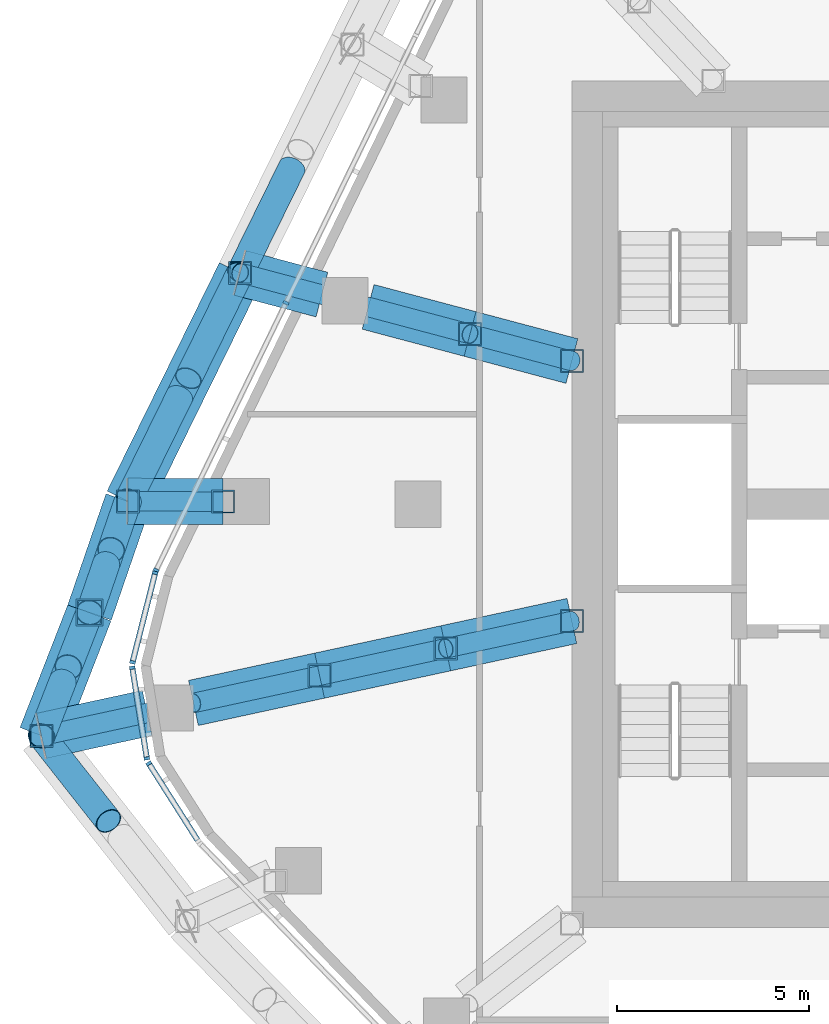
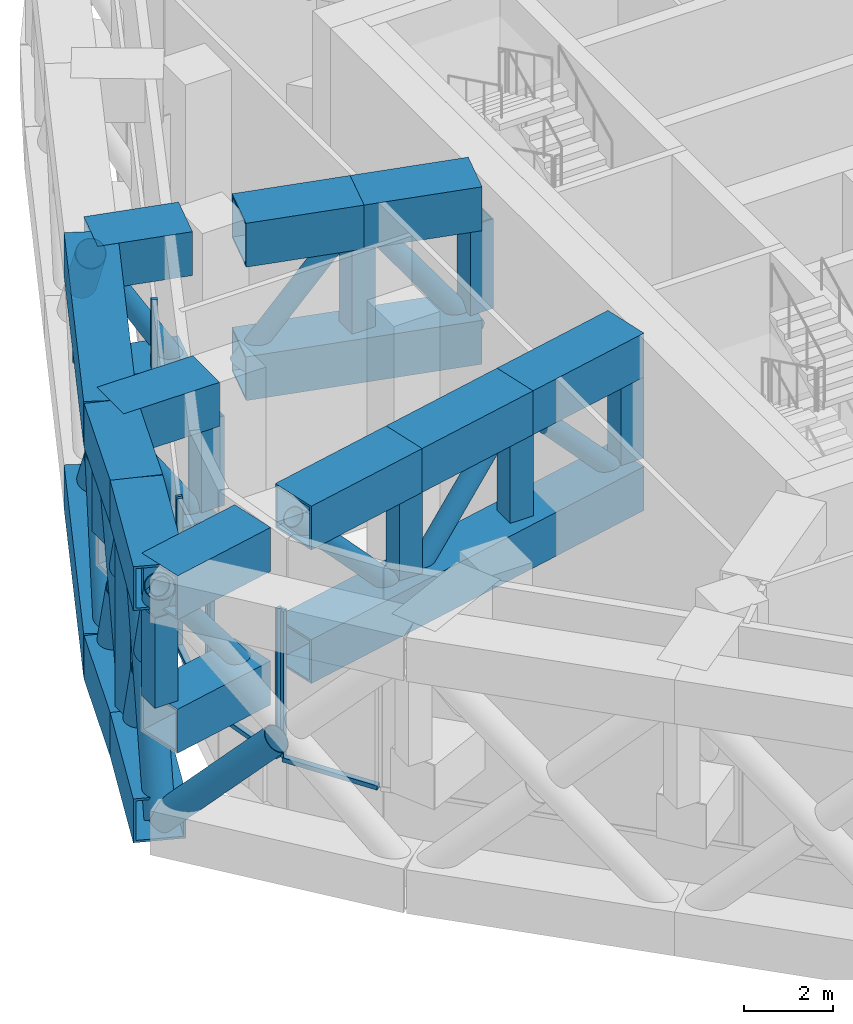
# One storey, part 4 of 21: 58 members, 2 elements without a shape of their own.
"""IFC4 building model written with IfcOpenShell, lengths in metres."""

from ifc_helpers import new_model, si_unit, direction, frame, origin, origin_2d, place, context, subcontext, project, spatial, rectangle, hollow_rectangle, hollow_circle, extrude, material, layer, layer_set, material_profile, profile_set, type_object, element, aggregate, save


model = new_model("IFC4")

# Units and contexts
model_context = context("Model", 3, precision=1e-05, world=origin(), true_north=direction((0.0, 1.0)))
body_context = subcontext(model_context, "Body", "Model", "MODEL_VIEW")
ifc_project = project(units=[si_unit("LENGTHUNIT", "METRE"), si_unit("AREAUNIT", "SQUARE_METRE"), si_unit("VOLUMEUNIT", "CUBIC_METRE"), si_unit("PLANEANGLEUNIT", "RADIAN"), si_unit("MASSUNIT", "GRAM", prefix="KILO")], contexts=[model_context])

# Site, building, storey
site_placement = place(None, origin())
site = spatial("IfcSite", under=ifc_project, at=site_placement, CompositionType="ELEMENT")
building_placement = place(site_placement, origin())
building = spatial("IfcBuilding", under=site, at=building_placement, Name="Dongbaek Canopy Tower", CompositionType="ELEMENT")
storey_placement = place(building_placement, frame((0.0, 0.0, 220.60009765625)))
storey = spatial("IfcBuildingStorey", under=building, at=storey_placement, Name="L46", CompositionType="ELEMENT", Elevation=220.60009765625)

# Members
ifc_material_1 = material(Name="Steel S355", Category="steel")
ifc_material_profile_1 = material_profile(ifc_material_1, hollow_circle(Radius=0.35546875, WallThickness=0.02001953125, at=origin_2d()), Name="BELT BRACE CHS 711.0x20.0 Steel S355")
ifc_profile_set_1 = profile_set([ifc_material_profile_1], Name="Steel S355")
member_type_1 = type_object("IfcMemberType", Name="BELT BRACE CHS 711.0x20.0 Steel S355", PredefinedType="BRACE", material=ifc_profile_set_1)
member_1_placement = place(storey_placement, frame((-27.7822265625, -6.019287109375, 0.599853515625), z_axis=(0.429223505563, -0.545381213508, 0.719948966402), x_axis=(0.785821312984, 0.618453607039, 0.0)))
element("IfcMember", 1, at=member_1_placement, inside=storey, type_object=member_type_1, Name="BELT:L46:7:D0:1", PredefinedType="BRACE", context=body_context, shape_type="SweptSolid", body=[
    extrude(hollow_circle(Radius=0.35546875, WallThickness=0.02001953125, at=origin_2d()), origin(), (0.0, 0.0, 1.0), 4.054443359375),
])
member_2_placement = place(storey_placement, frame((-27.7822265625, -6.019287109375, 0.599853515625), z_axis=(0.172787230998, 0.443783600336, 0.87931830919), x_axis=(-0.931859385377, 0.362819632716, 0.0)))
element("IfcMember", 2, at=member_2_placement, inside=storey, type_object=member_type_1, Name="BELT:L46:8:D0:0", PredefinedType="BRACE", context=body_context, shape_type="SweptSolid", body=[
    extrude(hollow_circle(Radius=0.35546875, WallThickness=0.02001953125, at=origin_2d()), origin(), (0.0, 0.0, 1.0), 7.2216796875),
])
for number, where, z_axis, x_axis, name in (
    (3, (-26.534423828125, -2.814453125, 0.599853515625), (-0.172782546431, -0.443794460722, 0.879313748489), (0.931865712843, -0.36280338095, 0.0), "BELT:L46:8:D0:1"),
    (4, (-27.7822265625, -6.019287109375, 6.949951171875), (0.172782546431, 0.443794460722, -0.879313748489), (-0.931865712843, 0.36280338095, 0.0), "BELT:L46:8:D0:2"),
):
    element("IfcMember", number, at=place(storey_placement, frame(where, z_axis=z_axis, x_axis=x_axis)), inside=storey, type_object=member_type_1, Name=name, PredefinedType="BRACE", context=body_context, shape_type="SweptSolid", body=[
        extrude(hollow_circle(Radius=0.35546875, WallThickness=0.02001953125, at=origin_2d()), origin(), (0.0, 0.0, 1.0), 3.186279296875),
    ])
member_3_placement = place(storey_placement, frame((-26.534423828125, -2.814453125, 0.599853515625), z_axis=(0.141096101577, 0.410159057862, 0.901033538429), x_axis=(-0.945612916994, 0.325294038084, 0.0)))
element("IfcMember", 5, at=member_3_placement, inside=storey, type_object=member_type_1, Name="BELT:L46:8:D1:0", PredefinedType="BRACE", context=body_context, shape_type="SweptSolid", body=[
    extrude(hollow_circle(Radius=0.35546875, WallThickness=0.02001953125, at=origin_2d()), origin(), (0.0, 0.0, 1.0), 7.047607421875),
])
for number, where, z_axis, x_axis, name in (
    (6, (-25.5400390625, 0.076171875, 0.599853515625), (-0.141049565418, -0.410181364521, 0.901030670008), (0.945651353794, -0.325182282831, 0.0), "BELT:L46:8:D1:1"),
    (7, (-26.534423828125, -2.814453125, 6.949951171875), (0.141127535559, 0.410176760621, -0.901020556787), (-0.945594943332, 0.325346281899, 0.0), "BELT:L46:8:D1:2"),
):
    element("IfcMember", number, at=place(storey_placement, frame(where, z_axis=z_axis, x_axis=x_axis)), inside=storey, type_object=member_type_1, Name=name, PredefinedType="BRACE", context=body_context, shape_type="SweptSolid", body=[
        extrude(hollow_circle(Radius=0.35546875, WallThickness=0.02001953125, at=origin_2d()), origin(), (0.0, 0.0, 1.0), 3.06884765625),
    ])
member_4_placement = place(storey_placement, frame((-25.5400390625, 0.076171875, 0.599853515625), z_axis=(0.318357990586, 0.64728708541, 0.692580406084), x_axis=(-0.89733894201, 0.441342070454, 0.0)))
element("IfcMember", 8, at=member_4_placement, inside=storey, type_object=member_type_1, Name="BELT:L46:9:D0:0", PredefinedType="BRACE", context=body_context, shape_type="SweptSolid", body=[
    extrude(hollow_circle(Radius=0.35546875, WallThickness=0.02001953125, at=origin_2d()), origin(), (0.0, 0.0, 1.0), 9.168701171875),
])
for number, where, z_axis, x_axis, name in (
    (9, (-22.62109375, 6.010986328125, 0.599853515625), (-0.318353733059, -0.647273068792, 0.69259546278), (0.89733749457, -0.441345013385, 0.0), "BELT:L46:9:D0:1"),
    (10, (-25.5400390625, 0.076171875, 6.949951171875), (0.318353733059, 0.647273068792, -0.69259546278), (-0.89733749457, 0.441345013385, 0.0), "BELT:L46:9:D0:2"),
):
    element("IfcMember", number, at=place(storey_placement, frame(where, z_axis=z_axis, x_axis=x_axis)), inside=storey, type_object=member_type_1, Name=name, PredefinedType="BRACE", context=body_context, shape_type="SweptSolid", body=[
        extrude(hollow_circle(Radius=0.35546875, WallThickness=0.02001953125, at=origin_2d()), origin(), (0.0, 0.0, 1.0), 4.228515625),
    ])
member_5_placement = place(storey_placement, frame((-22.62109375, 6.010986328125, 6.949951171875), z_axis=(0.318377527779, 0.647205968241, -0.69264722946), x_axis=(-0.897306306285, 0.441408419382, 0.0)))
element("IfcMember", 11, at=member_5_placement, inside=storey, type_object=member_type_1, Name="BELT:L46:10:D0:2", PredefinedType="BRACE", context=body_context, shape_type="SweptSolid", body=[
    extrude(hollow_circle(Radius=0.35546875, WallThickness=0.02001953125, at=origin_2d()), origin(), (0.0, 0.0, 1.0), 4.228271484375),
])
ifc_material_2 = material(Name="Steel S355", Category="steel")
ifc_material_profile_2 = material_profile(ifc_material_2, hollow_rectangle(XDim=1.199951171875, YDim=1.199951171875, WallThickness=0.06005859375, at=origin_2d()), Name="BELT CHORD BOX 1200x1200x60 Steel S355")
ifc_profile_set_2 = profile_set([ifc_material_profile_2], Name="Steel S355")
member_type_2 = type_object("IfcMemberType", Name="BELT CHORD BOX 1200x1200x60 Steel S355", PredefinedType="CHORD", material=ifc_profile_set_2)
for number, where, z_axis, x_axis, name in (
    (12, (-27.7822265625, -6.019287109375, 0.599853515625), (0.362819632716, 0.931859385377, 0.0), (-0.931859385377, 0.362819632716, 0.0), "BELT:L46:8:CB0"),
    (13, (-27.7822265625, -6.019287109375, 6.949951171875), (0.362819632716, 0.931859385377, 0.0), (-0.931859385377, 0.362819632716, 0.0), "BELT:L46:8:CT0"),
):
    element("IfcMember", number, at=place(storey_placement, frame(where, z_axis=z_axis, x_axis=x_axis)), inside=storey, type_object=member_type_2, Name=name, PredefinedType="CHORD", context=body_context, shape_type="SweptSolid", body=[
        extrude(hollow_rectangle(XDim=1.199951171875, YDim=1.199951171875, WallThickness=0.06005859375, at=origin_2d()), origin(), (0.0, 0.0, 1.0), 3.439208984375),
    ])
for number, where, z_axis, x_axis, name in (
    (14, (-26.534423828125, -2.814453125, 0.599853515625), (0.325294038084, 0.945612916994, 0.0), (-0.945612916994, 0.325294038084, 0.0), "BELT:L46:8:CB1"),
    (15, (-26.534423828125, -2.814453125, 6.949951171875), (0.325294038084, 0.945612916994, 0.0), (-0.945612916994, 0.325294038084, 0.0), "BELT:L46:8:CT1"),
):
    element("IfcMember", number, at=place(storey_placement, frame(where, z_axis=z_axis, x_axis=x_axis)), inside=storey, type_object=member_type_2, Name=name, PredefinedType="CHORD", context=body_context, shape_type="SweptSolid", body=[
        extrude(hollow_rectangle(XDim=1.199951171875, YDim=1.199951171875, WallThickness=0.06005859375, at=origin_2d()), origin(), (0.0, 0.0, 1.0), 3.056884765625),
    ])
for number, where, z_axis, x_axis, name in (
    (16, (-25.5400390625, 0.076171875, 0.599853515625), (0.441342070454, 0.89733894201, 0.0), (-0.89733894201, 0.441342070454, 0.0), "BELT:L46:9:CB0"),
    (17, (-25.5400390625, 0.076171875, 6.949951171875), (0.441342070454, 0.89733894201, 0.0), (-0.89733894201, 0.441342070454, 0.0), "BELT:L46:9:CT0"),
):
    element("IfcMember", number, at=place(storey_placement, frame(where, z_axis=z_axis, x_axis=x_axis)), inside=storey, type_object=member_type_2, Name=name, PredefinedType="CHORD", context=body_context, shape_type="SweptSolid", body=[
        extrude(hollow_rectangle(XDim=1.199951171875, YDim=1.199951171875, WallThickness=0.06005859375, at=origin_2d()), origin(), (0.0, 0.0, 1.0), 6.61376953125),
    ])
ifc_material_3 = material(Name="Steel S355", Category="steel")
ifc_material_profile_3 = material_profile(ifc_material_3, hollow_rectangle(XDim=0.699951171875, YDim=0.699951171875, WallThickness=0.035888671875, at=origin_2d()), Name="BELT POST BOX 700x700x36 Steel S355")
ifc_profile_set_3 = profile_set([ifc_material_profile_3], Name="Steel S355")
member_type_3 = type_object("IfcMemberType", Name="BELT POST BOX 700x700x36 Steel S355", PredefinedType="POST", material=ifc_profile_set_3)
member_6_placement = place(storey_placement, frame((-26.534423828125, -2.814453125, 1.199951171875), z_axis=(0.0, 0.0, 1.0), x_axis=(1.0, 0.0, 0.0)))
element("IfcMember", 18, at=member_6_placement, inside=storey, type_object=member_type_3, Name="BELT:L46:8:P1", PredefinedType="POST", context=body_context, shape_type="SweptSolid", body=[
    extrude(hollow_rectangle(XDim=0.699951171875, YDim=0.699951171875, WallThickness=0.035888671875, at=origin_2d()), origin(), (0.0, 0.0, 1.0), 5.14990234375),
])
ifc_material_4 = material(Name="Steel S355", Category="steel")
ifc_material_profile_4 = material_profile(ifc_material_4, hollow_circle(Radius=0.25390625, WallThickness=0.01611328125, at=origin_2d()), Name="BRACE CHS 508.0x16.0 Steel S355")
ifc_profile_set_4 = profile_set([ifc_material_profile_4], Name="Steel S355")
member_type_4 = type_object("IfcMemberType", Name="BRACE CHS 508.0x16.0 Steel S355", PredefinedType="BRACE", material=ifc_profile_set_4)
member_7_placement = place(storey_placement, frame((-23.06201171875, 0.06884765625, 3.2998046875), z_axis=(-0.56167790573, 0.001660131741, 0.827354322027), x_axis=(-0.002955652114, -0.999995632051, 0.0)))
element("IfcMember", 19, at=member_7_placement, inside=storey, type_object=member_type_4, Name="TRUSS:L46:9:D0", PredefinedType="BRACE", context=body_context, shape_type="SweptSolid", body=[
    extrude(hollow_circle(Radius=0.25390625, WallThickness=0.01611328125, at=origin_2d()), origin(), (0.0, 0.0, 1.0), 4.411865234375),
])
ifc_material_5 = material(Name="Steel S355", Category="steel")
ifc_material_profile_5 = material_profile(ifc_material_5, hollow_rectangle(XDim=1.199951171875, YDim=1.199951171875, WallThickness=0.06005859375, at=origin_2d()), Name="CHORD BOX 1200x1200x60 Steel S355")
ifc_profile_set_5 = profile_set([ifc_material_profile_5], Name="Steel S355")
member_type_5 = type_object("IfcMemberType", Name="CHORD BOX 1200x1200x60 Steel S355", PredefinedType="CHORD", material=ifc_profile_set_5)
for number, where, z_axis, x_axis, name in (
    (20, (-23.06201171875, 0.06884765625, 3.2998046875), (-0.999995632051, 0.002955652114, 0.0), (-0.002955652114, -0.999995632051, 0.0), "TRUSS:L46:9:CB"),
    (21, (-23.06201171875, 0.06884765625, 6.949951171875), (-0.999995632051, 0.002955652114, 0.0), (-0.002955652114, -0.999995632051, 0.0), "TRUSS:L46:9:CT0"),
):
    element("IfcMember", number, at=place(storey_placement, frame(where, z_axis=z_axis, x_axis=x_axis)), inside=storey, type_object=member_type_5, Name=name, PredefinedType="CHORD", context=body_context, shape_type="SweptSolid", body=[
        extrude(hollow_rectangle(XDim=1.199951171875, YDim=1.199951171875, WallThickness=0.06005859375, at=origin_2d()), origin(), (0.0, 0.0, 1.0), 2.47802734375),
    ])

# Curtain wall, members
ifc_material_6 = material(Name="Aluminium 6063-T6 pale anodised", Category="aluminium")
ifc_layer = layer(ifc_material_6, 0.14990234375)
ifc_layer_set = layer_set([ifc_layer], Name="CW-7 louvre curtain wall")
curtain_wall_type = type_object("IfcCurtainWallType", Name="CW-7 louvre curtain wall", PredefinedType="NOTDEFINED", material=ifc_layer_set)
curtain_wall_1_placement = place(storey_placement, origin())
curtain_wall_1 = element("IfcCurtainWall", 22, at=curtain_wall_1_placement, inside=storey, type_object=curtain_wall_type, Name="CW-7 louvre wall L46 F2", PredefinedType="NOTDEFINED")
ifc_material_7 = material(Name="Aluminium 6063-T6 pale anodised", Category="aluminium")
ifc_material_profile_6 = material_profile(ifc_material_7, rectangle(XDim=0.14990234375, YDim=0.080078125, at=origin_2d()), Name="CW-7 mullion 80 x 150")
ifc_profile_set_6 = profile_set([ifc_material_profile_6], Name="Aluminium 6063-T6 pale anodised")
member_type_6 = type_object("IfcMemberType", Name="CW-7 mullion 80 x 150", PredefinedType="MULLION", material=ifc_profile_set_6)
member_8_placement = place(storey_placement, frame((-21.4306640625, 5.232421875, 1.77490234375), z_axis=(0.0, 0.0, 1.0), x_axis=(-0.899574599552, 0.436767146018, 0.0)))
member_8 = element("IfcMember", 23, at=member_8_placement, type_object=member_type_6, Name="CW-7 mullion L46 F2.1.3", PredefinedType="MULLION", context=body_context, shape_type="SweptSolid", body=[
    extrude(rectangle(XDim=0.14990234375, YDim=0.080078125, at=origin_2d()), origin(), (0.0, 0.0, 1.0), 4.0),
])
member_9_placement = place(storey_placement, frame((-24.80419921875, -1.7158203125, 1.77490234375), z_axis=(0.0, 0.0, 1.0), x_axis=(-0.899574599552, 0.436767146018, 0.0)))
member_9 = element("IfcMember", 24, at=member_9_placement, type_object=member_type_6, Name="CW-7 mullion L46 F2.1.4", PredefinedType="MULLION", context=body_context, shape_type="SweptSolid", body=[
    extrude(rectangle(XDim=0.14990234375, YDim=0.080078125, at=origin_2d()), origin(), (0.0, 0.0, 1.0), 4.0),
])
aggregate(curtain_wall_1, [member_8, member_9])

curtain_wall_2_placement = place(storey_placement, origin())
curtain_wall_2 = element("IfcCurtainWall", 25, at=curtain_wall_2_placement, inside=storey, type_object=curtain_wall_type, Name="CW-7 louvre wall L46 K3", PredefinedType="NOTDEFINED")
member_10_placement = place(storey_placement, frame((-24.82861328125, -1.782470703125, 1.77490234375), z_axis=(0.0, 0.0, 1.0), x_axis=(-0.969334973247, 0.245743178216, 0.0)))
member_10 = element("IfcMember", 26, at=member_10_placement, type_object=member_type_6, Name="CW-7 mullion L46 K3.1.1", PredefinedType="MULLION", context=body_context, shape_type="SweptSolid", body=[
    extrude(rectangle(XDim=0.14990234375, YDim=0.080078125, at=origin_2d()), origin(), (0.0, 0.0, 1.0), 4.0),
])
member_11_placement = place(storey_placement, frame((-25.41748046875, -4.10595703125, 1.77490234375), z_axis=(0.0, 0.0, 1.0), x_axis=(-0.969334973247, 0.245743178216, 0.0)))
member_11 = element("IfcMember", 27, at=member_11_placement, type_object=member_type_6, Name="CW-7 mullion L46 K3.1.2", PredefinedType="MULLION", context=body_context, shape_type="SweptSolid", body=[
    extrude(rectangle(XDim=0.14990234375, YDim=0.080078125, at=origin_2d()), origin(), (0.0, 0.0, 1.0), 4.0),
])
member_12_placement = place(storey_placement, frame((-25.423828125, -4.247314453125, 1.77490234375), z_axis=(0.0, 0.0, 1.0), x_axis=(-0.987363201094, -0.158473685908, 0.0)))
member_12 = element("IfcMember", 28, at=member_12_placement, type_object=member_type_6, Name="CW-7 mullion L46 K3.2.1", PredefinedType="MULLION", context=body_context, shape_type="SweptSolid", body=[
    extrude(rectangle(XDim=0.14990234375, YDim=0.080078125, at=origin_2d()), origin(), (0.0, 0.0, 1.0), 4.0),
])
member_13_placement = place(storey_placement, frame((-25.045654296875, -6.603515625, 1.77490234375), z_axis=(0.0, 0.0, 1.0), x_axis=(-0.987363201094, -0.158473685908, 0.0)))
member_13 = element("IfcMember", 29, at=member_13_placement, type_object=member_type_6, Name="CW-7 mullion L46 K3.2.2", PredefinedType="MULLION", context=body_context, shape_type="SweptSolid", body=[
    extrude(rectangle(XDim=0.14990234375, YDim=0.080078125, at=origin_2d()), origin(), (0.0, 0.0, 1.0), 4.0),
])
member_14_placement = place(storey_placement, frame((-24.995361328125, -6.736083984375, 1.77490234375), z_axis=(0.0, 0.0, 1.0), x_axis=(-0.843743988537, -0.536745826074, 0.0)))
member_14 = element("IfcMember", 30, at=member_14_placement, type_object=member_type_6, Name="CW-7 mullion L46 K3.3.1", PredefinedType="MULLION", context=body_context, shape_type="SweptSolid", body=[
    extrude(rectangle(XDim=0.14990234375, YDim=0.080078125, at=origin_2d()), origin(), (0.0, 0.0, 1.0), 4.0),
])
ifc_material_8 = material(Name="Aluminium 6063-T6 pale anodised", Category="aluminium")
ifc_material_profile_7 = material_profile(ifc_material_8, rectangle(XDim=0.14990234375, YDim=0.1201171875, at=origin_2d()), Name="CW-7 transom 120 x 150")
ifc_profile_set_7 = profile_set([ifc_material_profile_7], Name="Aluminium 6063-T6 pale anodised")
member_type_7 = type_object("IfcMemberType", Name="CW-7 transom 120 x 150", PredefinedType="USERDEFINED", material=ifc_profile_set_7)
member_15_placement = place(storey_placement, frame((-24.82861328125, -1.782470703125, 1.71484375), z_axis=(-0.245673880778, -0.96935253871, 0.0), x_axis=(0.96935253871, -0.245673880778, 0.0)))
member_15 = element("IfcMember", 31, at=member_15_placement, type_object=member_type_7, Name="CW-7 transom L46 K3.1", ObjectType="TRANSOM", PredefinedType="USERDEFINED", context=body_context, shape_type="SweptSolid", body=[
    extrude(rectangle(XDim=0.14990234375, YDim=0.1201171875, at=origin_2d()), origin(), (0.0, 0.0, 1.0), 2.39697265625),
])
member_16_placement = place(storey_placement, frame((-25.423828125, -4.247314453125, 1.71484375), z_axis=(0.158473287488, -0.987363265041, 0.0), x_axis=(0.987363265041, 0.158473287488, 0.0)))
member_16 = element("IfcMember", 32, at=member_16_placement, type_object=member_type_7, Name="CW-7 transom L46 K3.2", ObjectType="TRANSOM", PredefinedType="USERDEFINED", context=body_context, shape_type="SweptSolid", body=[
    extrude(rectangle(XDim=0.14990234375, YDim=0.1201171875, at=origin_2d()), origin(), (0.0, 0.0, 1.0), 2.386474609375),
])
member_17_placement = place(storey_placement, frame((-24.995361328125, -6.736083984375, 1.71484375), z_axis=(0.536730475415, -0.843753753628, 0.0), x_axis=(0.843753753628, 0.536730475415, 0.0)))
member_17 = element("IfcMember", 33, at=member_17_placement, type_object=member_type_7, Name="CW-7 transom L46 K3.3", ObjectType="TRANSOM", PredefinedType="USERDEFINED", context=body_context, shape_type="SweptSolid", body=[
    extrude(rectangle(XDim=0.14990234375, YDim=0.1201171875, at=origin_2d()), origin(), (0.0, 0.0, 1.0), 2.396728515625),
])
aggregate(curtain_wall_2, [member_15, member_10, member_11, member_16, member_12, member_13, member_17, member_14])

# Members
ifc_material_9 = material(Name="Steel S355", Category="steel")
ifc_material_profile_8 = material_profile(ifc_material_9, hollow_circle(Radius=0.25390625, WallThickness=0.01611328125, at=origin_2d()), Name="OUTRIGGER BRACE CHS 508.0x16.0 Steel S355")
ifc_profile_set_8 = profile_set([ifc_material_profile_8], Name="Steel S355")
member_type_8 = type_object("IfcMemberType", Name="OUTRIGGER BRACE CHS 508.0x16.0 Steel S355", PredefinedType="BRACE", material=ifc_profile_set_8)
for number, where, z_axis, x_axis, name in (
    (34, (-14.0, -3.033203125, 3.2998046875), (-0.661304648864, -0.143262974646, 0.736309636965), (0.211725539168, -0.977329164644, 0.0), "TRUSS:L46:8:D0"),
    (35, (-17.2783203125, -3.743408203125, 6.949951171875), (-0.661304648864, -0.143262974646, -0.736309636965), (0.211725539168, -0.977329164644, 0.0), "TRUSS:L46:8:D1"),
    (36, (-20.556640625, -4.45361328125, 3.2998046875), (-0.661299982315, -0.143311211538, 0.736304441137), (0.211795057798, -0.977314101757, 0.0), "TRUSS:L46:8:D2"),
):
    element("IfcMember", number, at=place(storey_placement, frame(where, z_axis=z_axis, x_axis=x_axis)), inside=storey, type_object=member_type_8, Name=name, PredefinedType="BRACE", context=body_context, shape_type="SweptSolid", body=[
        extrude(hollow_circle(Radius=0.25390625, WallThickness=0.01611328125, at=origin_2d()), origin(), (0.0, 0.0, 1.0), 4.957275390625),
    ])
member_18_placement = place(storey_placement, frame((-25.034912109375, -5.424072265625, 3.2998046875), z_axis=(-0.596318823291, -0.129194462915, 0.792283189107), x_axis=(0.211740903599, -0.977325836015, 0.0)))
element("IfcMember", 37, at=member_18_placement, inside=storey, type_object=member_type_8, Name="TRUSS:L46:8s:D0", PredefinedType="BRACE", context=body_context, shape_type="SweptSolid", body=[
    extrude(hollow_circle(Radius=0.25390625, WallThickness=0.01611328125, at=origin_2d()), origin(), (0.0, 0.0, 1.0), 4.607177734375),
])
for number, where, z_axis, x_axis, name in (
    (38, (-14.0, 3.72021484375, 3.2998046875), (-0.580179179081, 0.154165258539, 0.799765711456), (-0.256808446861, -0.966462322918, 0.0), "TRUSS:L46:10:D0"),
    (39, (-16.64794921875, 4.423828125, 6.949951171875), (-0.58017439376, 0.154217478998, -0.799759114982), (-0.256891675017, -0.966440203689, 0.0), "TRUSS:L46:10:D1"),
):
    element("IfcMember", number, at=place(storey_placement, frame(where, z_axis=z_axis, x_axis=x_axis)), inside=storey, type_object=member_type_8, Name=name, PredefinedType="BRACE", context=body_context, shape_type="SweptSolid", body=[
        extrude(hollow_circle(Radius=0.25390625, WallThickness=0.01611328125, at=origin_2d()), origin(), (0.0, 0.0, 1.0), 4.56396484375),
    ])
member_19_placement = place(storey_placement, frame((-20.49609375, 5.4462890625, 3.2998046875), z_axis=(-0.498682356888, 0.132519794518, 0.856594659678), x_axis=(-0.256826328392, -0.966457571259, 0.0)))
element("IfcMember", 40, at=member_19_placement, inside=storey, type_object=member_type_8, Name="TRUSS:L46:10s:D0", PredefinedType="BRACE", context=body_context, shape_type="SweptSolid", body=[
    extrude(hollow_circle(Radius=0.25390625, WallThickness=0.01611328125, at=origin_2d()), origin(), (0.0, 0.0, 1.0), 4.26123046875),
])
ifc_material_10 = material(Name="Steel S355", Category="steel")
ifc_material_profile_9 = material_profile(ifc_material_10, hollow_rectangle(XDim=1.199951171875, YDim=1.199951171875, WallThickness=0.06005859375, at=origin_2d()), Name="OUTRIGGER CHORD BOX 1200x1200x60 Steel S355")
ifc_profile_set_9 = profile_set([ifc_material_profile_9], Name="Steel S355")
member_type_9 = type_object("IfcMemberType", Name="OUTRIGGER CHORD BOX 1200x1200x60 Steel S355", PredefinedType="CHORD", material=ifc_profile_set_9)
member_20_placement = place(storey_placement, frame((-14.0, -3.033203125, 3.2998046875), z_axis=(-0.977324144179, -0.211748712402, 0.0), x_axis=(0.211748712402, -0.977324144179, 0.0)))
element("IfcMember", 41, at=member_20_placement, inside=storey, type_object=member_type_9, Name="TRUSS:L46:8:CB", PredefinedType="CHORD", context=body_context, shape_type="SweptSolid", body=[
    extrude(hollow_rectangle(XDim=1.199951171875, YDim=1.199951171875, WallThickness=0.06005859375, at=origin_2d()), origin(), (0.0, 0.0, 1.0), 10.063232421875),
])
for number, where, z_axis, x_axis, name in (
    (42, (-14.0, -3.033203125, 6.949951171875), (-0.977329164644, -0.211725539168, 0.0), (0.211725539168, -0.977329164644, 0.0), "TRUSS:L46:8:CT0"),
    (43, (-17.2783203125, -3.743408203125, 6.949951171875), (-0.977329164644, -0.211725539168, 0.0), (0.211725539168, -0.977329164644, 0.0), "TRUSS:L46:8:CT1"),
):
    element("IfcMember", number, at=place(storey_placement, frame(where, z_axis=z_axis, x_axis=x_axis)), inside=storey, type_object=member_type_9, Name=name, PredefinedType="CHORD", context=body_context, shape_type="SweptSolid", body=[
        extrude(hollow_rectangle(XDim=1.199951171875, YDim=1.199951171875, WallThickness=0.06005859375, at=origin_2d()), origin(), (0.0, 0.0, 1.0), 3.354248046875),
    ])
member_21_placement = place(storey_placement, frame((-20.556640625, -4.45361328125, 6.949951171875), z_axis=(-0.977314101757, -0.211795057798, 0.0), x_axis=(0.211795057798, -0.977314101757, 0.0)))
element("IfcMember", 44, at=member_21_placement, inside=storey, type_object=member_type_9, Name="TRUSS:L46:8:CT2", PredefinedType="CHORD", context=body_context, shape_type="SweptSolid", body=[
    extrude(hollow_rectangle(XDim=1.199951171875, YDim=1.199951171875, WallThickness=0.06005859375, at=origin_2d()), origin(), (0.0, 0.0, 1.0), 3.3544921875),
])
for number, where, z_axis, x_axis, name in (
    (45, (-25.034912109375, -5.424072265625, 3.2998046875), (-0.977325836015, -0.211740903599, 0.0), (0.211740903599, -0.977325836015, 0.0), "TRUSS:L46:8s:CB"),
    (46, (-25.034912109375, -5.424072265625, 6.949951171875), (-0.977325836015, -0.211740903599, 0.0), (0.211740903599, -0.977325836015, 0.0), "TRUSS:L46:8s:CT0"),
):
    element("IfcMember", number, at=place(storey_placement, frame(where, z_axis=z_axis, x_axis=x_axis)), inside=storey, type_object=member_type_9, Name=name, PredefinedType="CHORD", context=body_context, shape_type="SweptSolid", body=[
        extrude(hollow_rectangle(XDim=1.199951171875, YDim=1.199951171875, WallThickness=0.06005859375, at=origin_2d()), origin(), (0.0, 0.0, 1.0), 2.81103515625),
    ])
member_22_placement = place(storey_placement, frame((-14.0, 3.72021484375, 3.2998046875), z_axis=(-0.966451264073, 0.256850061653, 0.0), x_axis=(-0.256850061653, -0.966451264073, 0.0)))
element("IfcMember", 47, at=member_22_placement, inside=storey, type_object=member_type_9, Name="TRUSS:L46:10:CB", PredefinedType="CHORD", context=body_context, shape_type="SweptSolid", body=[
    extrude(hollow_rectangle(XDim=1.199951171875, YDim=1.199951171875, WallThickness=0.06005859375, at=origin_2d()), origin(), (0.0, 0.0, 1.0), 5.479736328125),
])
member_23_placement = place(storey_placement, frame((-14.0, 3.72021484375, 6.949951171875), z_axis=(-0.966462322918, 0.256808446861, 0.0), x_axis=(-0.256808446861, -0.966462322918, 0.0)))
element("IfcMember", 48, at=member_23_placement, inside=storey, type_object=member_type_9, Name="TRUSS:L46:10:CT0", PredefinedType="CHORD", context=body_context, shape_type="SweptSolid", body=[
    extrude(hollow_rectangle(XDim=1.199951171875, YDim=1.199951171875, WallThickness=0.06005859375, at=origin_2d()), origin(), (0.0, 0.0, 1.0), 2.73974609375),
])
member_24_placement = place(storey_placement, frame((-16.64794921875, 4.423828125, 6.949951171875), z_axis=(-0.966440203689, 0.256891675017, 0.0), x_axis=(-0.256891675017, -0.966440203689, 0.0)))
element("IfcMember", 49, at=member_24_placement, inside=storey, type_object=member_type_9, Name="TRUSS:L46:10:CT1", PredefinedType="CHORD", context=body_context, shape_type="SweptSolid", body=[
    extrude(hollow_rectangle(XDim=1.199951171875, YDim=1.199951171875, WallThickness=0.06005859375, at=origin_2d()), origin(), (0.0, 0.0, 1.0), 2.739990234375),
])
for number, where, z_axis, x_axis, name in (
    (50, (-20.49609375, 5.4462890625, 3.2998046875), (-0.966457571259, 0.256826328392, 0.0), (-0.256826328392, -0.966457571259, 0.0), "TRUSS:L46:10s:CB"),
    (51, (-20.49609375, 5.4462890625, 6.949951171875), (-0.966457571259, 0.256826328392, 0.0), (-0.256826328392, -0.966457571259, 0.0), "TRUSS:L46:10s:CT0"),
):
    element("IfcMember", number, at=place(storey_placement, frame(where, z_axis=z_axis, x_axis=x_axis)), inside=storey, type_object=member_type_9, Name=name, PredefinedType="CHORD", context=body_context, shape_type="SweptSolid", body=[
        extrude(hollow_rectangle(XDim=1.199951171875, YDim=1.199951171875, WallThickness=0.06005859375, at=origin_2d()), origin(), (0.0, 0.0, 1.0), 2.19873046875),
    ])
ifc_material_11 = material(Name="Steel S355", Category="steel")
ifc_material_profile_10 = material_profile(ifc_material_11, hollow_rectangle(XDim=0.60009765625, YDim=0.60009765625, WallThickness=0.031982421875, at=origin_2d()), Name="OUTRIGGER POST BOX 600x600x32 Steel S355")
ifc_profile_set_10 = profile_set([ifc_material_profile_10], Name="Steel S355")
member_type_10 = type_object("IfcMemberType", Name="OUTRIGGER POST BOX 600x600x32 Steel S355", PredefinedType="POST", material=ifc_profile_set_10)
for number, where, z_axis, x_axis, name in (
    (52, (-14.0, -3.033203125, 3.89990234375), (0.0, 0.0, 1.0), (1.0, 0.0, 0.0), "TRUSS:L46:8:P0"),
    (53, (-17.2783203125, -3.743408203125, 3.89990234375), (0.0, 0.0, 1.0), (1.0, 0.0, 0.0), "TRUSS:L46:8:P1"),
    (54, (-20.556640625, -4.45361328125, 3.89990234375), (0.0, 0.0, 1.0), (1.0, 0.0, 0.0), "TRUSS:L46:8:P2"),
    (55, (-27.7822265625, -6.019287109375, 3.89990234375), (0.0, 0.0, 1.0), (1.0, 0.0, 0.0), "TRUSS:L46:8s:P1"),
    (56, (-14.0, 3.72021484375, 3.89990234375), (0.0, 0.0, 1.0), (1.0, 0.0, 0.0), "TRUSS:L46:10:P0"),
    (57, (-16.64794921875, 4.423828125, 3.89990234375), (0.0, 0.0, 1.0), (1.0, 0.0, 0.0), "TRUSS:L46:10:P1"),
    (58, (-22.62109375, 6.010986328125, 3.89990234375), (0.0, 0.0, 1.0), (1.0, 0.0, 0.0), "TRUSS:L46:10s:P1"),
):
    element("IfcMember", number, at=place(storey_placement, frame(where, z_axis=z_axis, x_axis=x_axis)), inside=storey, type_object=member_type_10, Name=name, PredefinedType="POST", context=body_context, shape_type="SweptSolid", body=[
        extrude(hollow_rectangle(XDim=0.60009765625, YDim=0.60009765625, WallThickness=0.031982421875, at=origin_2d()), origin(), (0.0, 0.0, 1.0), 2.449951171875),
    ])
ifc_material_12 = material(Name="Steel S355", Category="steel")
ifc_material_profile_11 = material_profile(ifc_material_12, hollow_rectangle(XDim=0.60009765625, YDim=0.60009765625, WallThickness=0.031982421875, at=origin_2d()), Name="POST BOX 600x600x32 Steel S355")
ifc_profile_set_11 = profile_set([ifc_material_profile_11], Name="Steel S355")
member_type_11 = type_object("IfcMemberType", Name="POST BOX 600x600x32 Steel S355", PredefinedType="POST", material=ifc_profile_set_11)
for number, where, z_axis, x_axis, name in (
    (59, (-23.06201171875, 0.06884765625, 3.89990234375), (0.0, 0.0, 1.0), (1.0, 0.0, 0.0), "TRUSS:L46:9:P0"),
    (60, (-25.5400390625, 0.076171875, 3.89990234375), (0.0, 0.0, 1.0), (1.0, 0.0, 0.0), "TRUSS:L46:9:P1"),
):
    element("IfcMember", number, at=place(storey_placement, frame(where, z_axis=z_axis, x_axis=x_axis)), inside=storey, type_object=member_type_11, Name=name, PredefinedType="POST", context=body_context, shape_type="SweptSolid", body=[
        extrude(hollow_rectangle(XDim=0.60009765625, YDim=0.60009765625, WallThickness=0.031982421875, at=origin_2d()), origin(), (0.0, 0.0, 1.0), 2.449951171875),
    ])

save(model, "model.ifc")
